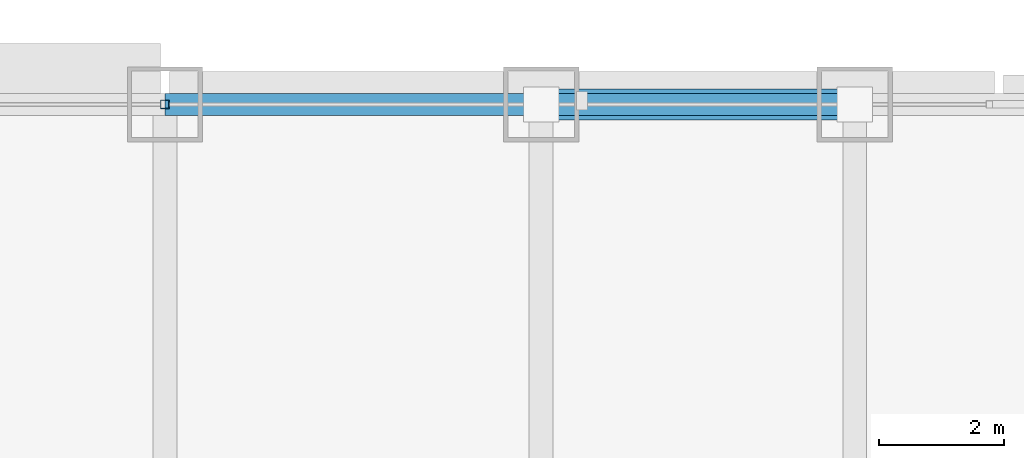
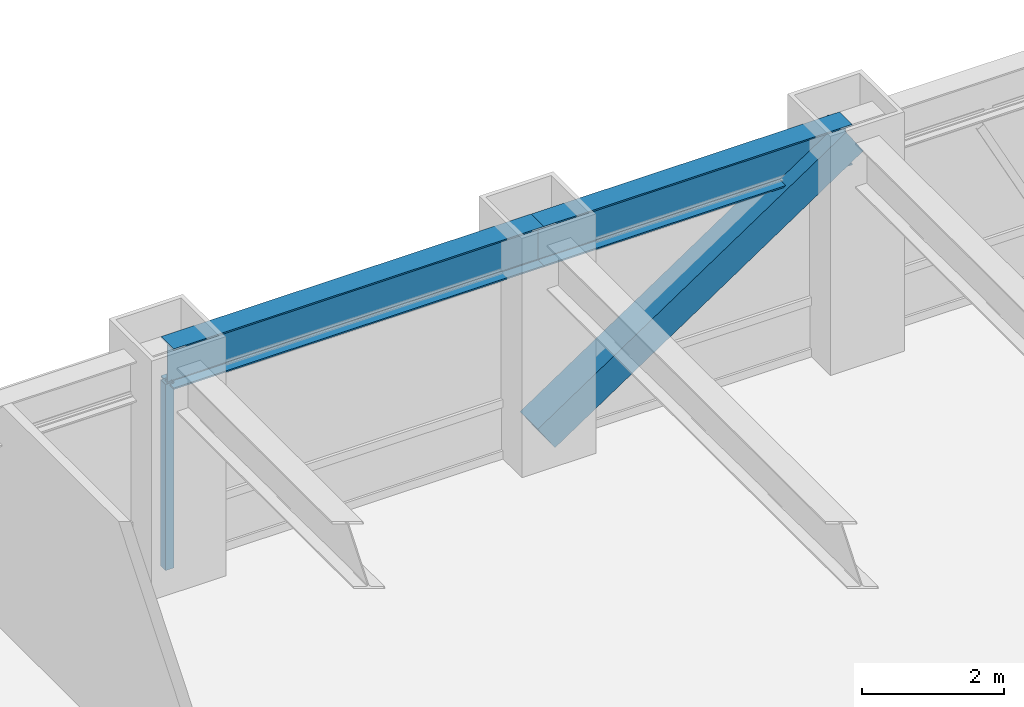
# One storey, part 19 of 32: 2 beams, 2 members, 1 element without a shape of its own.
"""IFC4 building model written with IfcOpenShell, lengths in metres."""

from ifc_helpers import new_model, si_unit, direction, frame, origin, origin_2d, place, context, subcontext, project, spatial, hollow_rectangle, i_section, extrude, source, transform, mapped, material, material_profile, profile_set, type_object, element, aggregate, save


model = new_model("IFC4")

# Units and contexts
model_context = context("Model", 3, precision=1e-05, world=origin(), true_north=direction((0.0, 1.0)))
body_context = subcontext(model_context, "Body", "Model", "MODEL_VIEW")
ifc_project = project(units=[si_unit("LENGTHUNIT", "METRE"), si_unit("AREAUNIT", "SQUARE_METRE"), si_unit("VOLUMEUNIT", "CUBIC_METRE"), si_unit("PLANEANGLEUNIT", "RADIAN"), si_unit("MASSUNIT", "GRAM", prefix="KILO")], contexts=[model_context])

# Site, building, storey
site_placement = place(None, origin())
site = spatial("IfcSite", under=ifc_project, at=site_placement, CompositionType="ELEMENT")
building_placement = place(site_placement, origin())
building = spatial("IfcBuilding", under=site, at=building_placement, Name="Khorayat Bourse Tower", CompositionType="ELEMENT")
storey_placement = place(building_placement, frame((0.0, 0.0, 132.39990234375)))
storey = spatial("IfcBuildingStorey", under=building, at=storey_placement, Name="L30", CompositionType="ELEMENT", Elevation=132.39990234375)

# Beams
ifc_material_1 = material(Name="Steel ASTM A992 Grade 50", Category="steel")
ifc_material_profile_1 = material_profile(ifc_material_1, i_section(OverallWidth=0.35498046875, OverallDepth=0.695068359375, WebThickness=0.015380859375, FlangeThickness=0.02490234375, FilletRadius=0.01806640625, at=origin_2d()), Name="W690X217")
ifc_profile_set_1 = profile_set([ifc_material_profile_1], Name="Steel ASTM A992 Grade 50")
beam_type = type_object("IfcBeamType", Name="BM-SPAN-690", PredefinedType="SPANDREL", material=ifc_profile_set_1)
shared_shape_1 = source(origin(), body_context, "Body", "SweptSolid", [
    extrude(i_section(OverallWidth=0.35498046875, OverallDepth=0.695068359375, WebThickness=0.015380859375, FlangeThickness=0.02490234375, FilletRadius=0.01806640625, at=origin_2d()), origin(), (0.0, 0.0, 1.0), 5.0),
])
beam_1_placement = place(storey_placement, frame((6.0, 32.0, 3.49267578125), z_axis=(1.0, 0.0, 0.0), x_axis=(0.0, 1.0, 0.0)))
element("IfcBeam", 1, at=beam_1_placement, inside=storey, type_object=beam_type, Name="L30 BM-SPAN-690 BM-L30-SPN-046", PredefinedType="SPANDREL", context=body_context, shape_type="MappedRepresentation", body=[
    mapped(shared_shape_1, transform((0.0, 0.0, 0.0), scale=1.0)),
])
shared_shape_2 = source(origin(), body_context, "Body", "SweptSolid", [
    extrude(i_section(OverallWidth=0.35498046875, OverallDepth=0.695068359375, WebThickness=0.015380859375, FlangeThickness=0.02490234375, FilletRadius=0.01806640625, at=origin_2d()), origin(), (0.0, 0.0, 1.0), 6.0),
])
beam_2_placement = place(storey_placement, frame((0.0, 32.0, 3.49267578125), z_axis=(1.0, 0.0, 0.0), x_axis=(0.0, 1.0, 0.0)))
element("IfcBeam", 2, at=beam_2_placement, inside=storey, type_object=beam_type, Name="L30 BM-SPAN-690 BM-L30-SPN-047", PredefinedType="SPANDREL", context=body_context, shape_type="MappedRepresentation", body=[
    mapped(shared_shape_2, transform((0.0, 0.0, 0.0), scale=1.0)),
])

# Member
ifc_material_2 = material(Name="Steel EN 10025-4 S460M", Category="steel")
ifc_material_profile_2 = material_profile(ifc_material_2, hollow_rectangle(XDim=0.5, YDim=0.5, WallThickness=0.028076171875, at=origin_2d()), Name="HSS 500x500x28")
ifc_profile_set_2 = profile_set([ifc_material_profile_2], Name="Steel EN 10025-4 S460M")
member_type_1 = type_object("IfcMemberType", Name="MBR-TUBE-500", PredefinedType="BRACE", material=ifc_profile_set_2)
shared_shape_3 = source(origin(), body_context, "Body", "SweptSolid", [
    extrude(hollow_rectangle(XDim=0.5, YDim=0.5, WallThickness=0.028076171875, at=origin_2d()), origin(), (0.0, 0.0, 1.0), 6.012939453125),
])
member_1_placement = place(storey_placement, frame((6.0, 32.0, 0.25), z_axis=(0.831531473026, 0.0, 0.555477640745), x_axis=(0.0, 1.0, 0.0)))
element("IfcMember", 3, at=member_1_placement, inside=storey, type_object=member_type_1, Name="L30 Perimeter Tube Brace 04", PredefinedType="BRACE", context=body_context, shape_type="MappedRepresentation", body=[
    mapped(shared_shape_3, transform((0.0, 0.0, 0.0), scale=1.0)),
])

# Curtain wall, member
ifc_material_3 = material(Name="Aluminium EN AW-6063 T6", Category="aluminium")
curtain_wall_type = type_object("IfcCurtainWallType", Name="CW-SYS-02", PredefinedType="NOTDEFINED", material=ifc_material_3)
curtain_wall_placement = place(storey_placement, origin())
curtain_wall = element("IfcCurtainWall", 4, at=curtain_wall_placement, inside=storey, type_object=curtain_wall_type, Name="L30 Curtain Wall CW-L30-N1", PredefinedType="NOTDEFINED")
ifc_material_profile_3 = material_profile(ifc_material_3, hollow_rectangle(XDim=0.139892578125, YDim=0.139892578125, WallThickness=0.006103515625, at=origin_2d()), Name="ALU 140x140x6")
ifc_profile_set_3 = profile_set([ifc_material_profile_3], Name="Aluminium EN AW-6063 T6")
member_type_2 = type_object("IfcMemberType", Name="CWM-VERT-140", PredefinedType="MULLION", material=ifc_profile_set_3)
shared_shape_4 = source(origin(), body_context, "Body", "SweptSolid", [
    extrude(hollow_rectangle(XDim=0.139892578125, YDim=0.139892578125, WallThickness=0.006103515625, at=origin_2d()), origin(), (0.0, 0.0, 1.0), 3.190185546875),
])
member_2_placement = place(storey_placement, frame((0.0, 32.0, 0.0), z_axis=(0.0, 0.0, 1.0), x_axis=(0.0, 1.0, 0.0)))
member_2 = element("IfcMember", 5, at=member_2_placement, type_object=member_type_2, Name="CW-L30-N1 Vertical Mullion 2", PredefinedType="MULLION", context=body_context, shape_type="MappedRepresentation", body=[
    mapped(shared_shape_4, transform((0.0, 0.0, 0.0), scale=1.0)),
])
aggregate(curtain_wall, [member_2])

save(model, "model.ifc")
